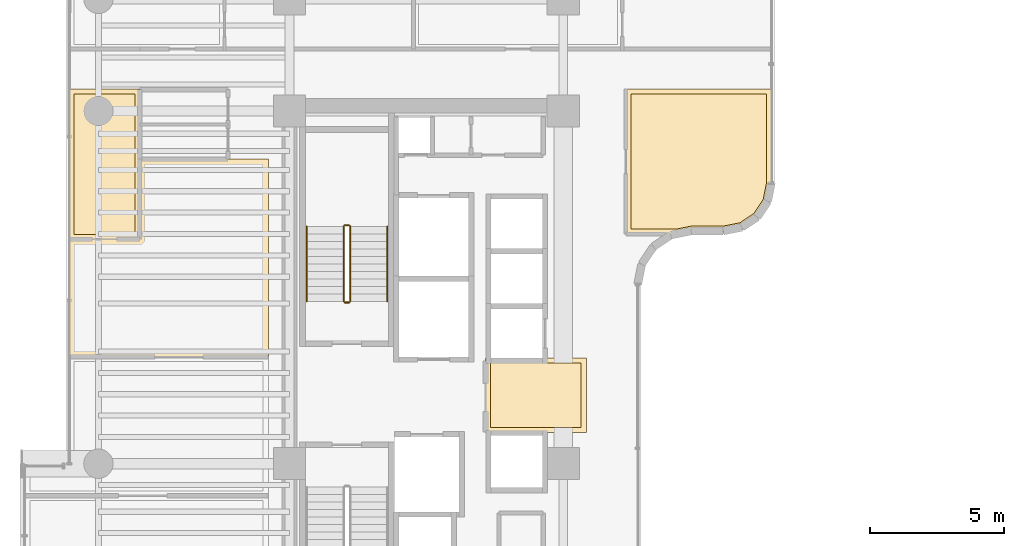
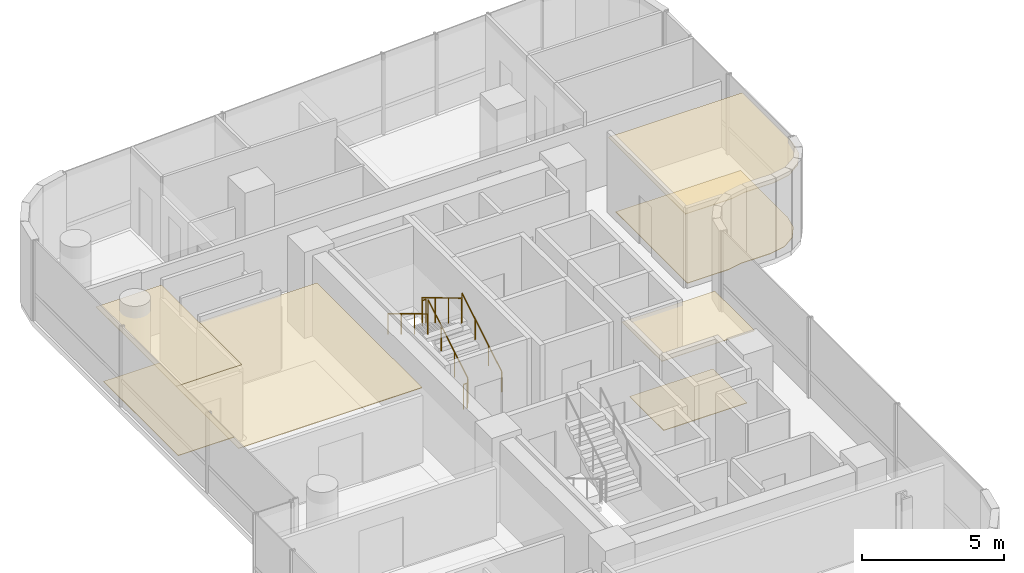
# One storey, part 32 of 34: 7 coverings, 6 railings.
"""IFC4 building model written with IfcOpenShell, lengths in metres."""

from ifc_helpers import new_model, si_unit, direction, frame, origin, origin_2d, place, context, subcontext, project, spatial, polyline, circle, outline, extrude, material, layer, layer_set, type_object, element, save


model = new_model("IFC4")

# Units and contexts
model_context = context("Model", 3, precision=1e-05, world=origin(), true_north=direction((0.0, 1.0)))
body_context = subcontext(model_context, "Body", "Model", "MODEL_VIEW")
ifc_project = project(units=[si_unit("LENGTHUNIT", "METRE"), si_unit("AREAUNIT", "SQUARE_METRE"), si_unit("VOLUMEUNIT", "CUBIC_METRE"), si_unit("PLANEANGLEUNIT", "RADIAN"), si_unit("MASSUNIT", "GRAM", prefix="KILO")], contexts=[model_context])

# Site, building, storey
site_placement = place(None, origin())
site = spatial("IfcSite", under=ifc_project, at=site_placement, CompositionType="ELEMENT")
building_placement = place(site_placement, origin())
building = spatial("IfcBuilding", under=site, at=building_placement, Name="Valdorenza Pilgrim Sanctuary Tower", CompositionType="ELEMENT")
storey_placement = place(building_placement, frame((0.0, 0.0, 164.89990234375)))
storey = spatial("IfcBuildingStorey", under=building, at=storey_placement, Name="L42", CompositionType="ELEMENT", Elevation=164.89990234375)

# Coverings
ifc_material_1 = material(Name="Micro-perforated acoustic mineral ceiling tile", Category="gypsum")
ifc_layer_1 = layer(ifc_material_1, 0.02490234375, Name="Micro-perforated acoustic mineral ceiling tile")
ifc_layer_set_1 = layer_set([ifc_layer_1], Name="Micro-perforated acoustic mineral ceiling tile")
covering_type_1 = type_object("IfcCoveringType", Name="COV-CLG-ACU", PredefinedType="CEILING", material=ifc_layer_set_1)
covering_1_placement = place(storey_placement, frame((0.0, 0.0, 3.16015625)))
element("IfcCovering", 1, at=covering_1_placement, inside=storey, type_object=covering_type_1, Name="L42 Core A Passenger Lift Lobby Acoustic Ceiling", PredefinedType="CEILING", context=body_context, shape_type="SweptSolid", body=[
    extrude(outline(polyline([(-15.31298828125, 1.244384765625), (-15.31298828125, 1.24462890625), (-15.313720703125, 1.24609375), (-15.314208984375, 1.24755859375), (-15.314697265625, 1.2490234375), (-15.31494140625, 1.25048828125), (-15.31494140625, 1.251953125), (-15.31494140625, 1.35009765625), (-15.31494140625, 1.3515625), (-15.314697265625, 1.352783203125), (-15.314453125, 1.3544921875), (-15.31396484375, 1.355712890625), (-15.313232421875, 1.357177734375), (-15.3125, 1.3583984375), (-15.3115234375, 1.359619140625), (-15.310546875, 1.360595703125), (-15.3095703125, 1.361572265625), (-15.308349609375, 1.362548828125), (-15.30712890625, 1.36328125), (-15.3056640625, 1.364013671875), (-15.304443359375, 1.364501953125), (-15.302978515625, 1.36474609375), (-15.301513671875, 1.364990234375), (-15.300048828125, 1.364990234375), (-15.10205078125, 1.364990234375), (-15.1005859375, 1.364990234375), (-15.09912109375, 1.36474609375), (-15.097412109375, 1.3642578125), (-15.09619140625, 1.36376953125), (-15.0947265625, 1.363037109375), (-15.094482421875, 1.363037109375), (-13.185546875, 1.363037109375), (-13.185302734375, 1.363037109375), (-13.183837890625, 1.36376953125), (-13.1826171875, 1.3642578125), (-13.180908203125, 1.36474609375), (-13.179443359375, 1.364990234375), (-13.177978515625, 1.364990234375), (-11.550048828125, 1.364990234375), (-11.548583984375, 1.364990234375), (-11.547119140625, 1.36474609375), (-11.545654296875, 1.364501953125), (-11.544189453125, 1.364013671875), (-11.54296875, 1.36328125), (-11.541748046875, 1.362548828125), (-11.54052734375, 1.361572265625), (-11.539306640625, 1.360595703125), (-11.538330078125, 1.359619140625), (-11.53759765625, 1.3583984375), (-11.536865234375, 1.357177734375), (-11.5361328125, 1.355712890625), (-11.53564453125, 1.3544921875), (-11.535400390625, 1.352783203125), (-11.53515625, 1.3515625), (-11.534912109375, 1.35009765625), (-11.534912109375, -1.419921875), (-11.53515625, -1.42138671875), (-11.535400390625, -1.4228515625), (-11.53564453125, -1.42431640625), (-11.5361328125, -1.42578125), (-11.536865234375, -1.427001953125), (-11.53759765625, -1.42822265625), (-11.538330078125, -1.429443359375), (-11.539306640625, -1.4306640625), (-11.54052734375, -1.431640625), (-11.541748046875, -1.4326171875), (-11.54296875, -1.43310546875), (-11.544189453125, -1.433837890625), (-11.545654296875, -1.434326171875), (-11.547119140625, -1.434814453125), (-11.548583984375, -1.434814453125), (-11.550048828125, -1.43505859375), (-15.298095703125, -1.43505859375), (-15.299560546875, -1.434814453125), (-15.30078125, -1.434814453125), (-15.302490234375, -1.434326171875), (-15.3037109375, -1.433837890625), (-15.30517578125, -1.43310546875), (-15.306396484375, -1.4326171875), (-15.3076171875, -1.431640625), (-15.30859375, -1.4306640625), (-15.3095703125, -1.429443359375), (-15.310546875, -1.42822265625), (-15.311279296875, -1.427001953125), (-15.31201171875, -1.42578125), (-15.3125, -1.42431640625), (-15.312744140625, -1.4228515625), (-15.31298828125, -1.42138671875), (-15.31298828125, -1.419921875), (-15.31298828125, 1.244384765625)])), origin(), (0.0, 0.0, 1.0), 0.02490234375),
])
covering_2_placement = place(storey_placement, frame((0.0, 0.0, 3.16015625)))
element("IfcCovering", 2, at=covering_2_placement, inside=storey, type_object=covering_type_1, Name="L42 Pilgrim Scholar Office L42-1 Acoustic Ceiling", PredefinedType="CEILING", context=body_context, shape_type="SweptSolid", body=[
    extrude(outline(polyline([(-28.237060546875, 8.805419921875), (-28.23681640625, 8.805419921875), (-28.236083984375, 8.803955078125), (-28.235595703125, 8.802490234375), (-28.2353515625, 8.801025390625), (-28.235107421875, 8.799560546875), (-28.235107421875, 8.798095703125), (-28.235107421875, 5.800048828125), (-28.235107421875, 5.798583984375), (-28.2353515625, 5.797119140625), (-28.235595703125, 5.795654296875), (-28.236083984375, 5.794189453125), (-28.23681640625, 5.79296875), (-28.237548828125, 5.791748046875), (-28.23828125, 5.79052734375), (-28.239501953125, 5.789306640625), (-28.240478515625, 5.788330078125), (-28.24169921875, 5.78759765625), (-28.242919921875, 5.786865234375), (-28.244384765625, 5.7861328125), (-28.24560546875, 5.78564453125), (-28.2470703125, 5.785400390625), (-28.24853515625, 5.78515625), (-28.25, 5.784912109375), (-30.889892578125, 5.784912109375), (-30.8916015625, 5.78515625), (-30.892822265625, 5.785400390625), (-30.894287109375, 5.78564453125), (-30.895751953125, 5.7861328125), (-30.897216796875, 5.786865234375), (-30.898193359375, 5.78759765625), (-30.8994140625, 5.788330078125), (-30.900634765625, 5.789306640625), (-30.901611328125, 5.79052734375), (-30.902587890625, 5.791748046875), (-30.9033203125, 5.79296875), (-30.90380859375, 5.794189453125), (-30.904296875, 5.795654296875), (-30.90478515625, 5.797119140625), (-30.90478515625, 5.798583984375), (-30.905029296875, 5.800048828125), (-30.905029296875, 11.419921875), (-30.90478515625, 11.42138671875), (-30.90478515625, 11.4228515625), (-30.904296875, 11.42431640625), (-30.90380859375, 11.42578125), (-30.9033203125, 11.427001953125), (-30.902587890625, 11.42822265625), (-30.901611328125, 11.429443359375), (-30.900634765625, 11.4306640625), (-30.8994140625, 11.431640625), (-30.898193359375, 11.4326171875), (-30.897216796875, 11.43310546875), (-30.895751953125, 11.433837890625), (-30.894287109375, 11.434326171875), (-30.892822265625, 11.434814453125), (-30.8916015625, 11.434814453125), (-30.889892578125, 11.43505859375), (-28.25, 11.43505859375), (-28.24853515625, 11.434814453125), (-28.2470703125, 11.434814453125), (-28.24560546875, 11.434326171875), (-28.244384765625, 11.433837890625), (-28.242919921875, 11.43310546875), (-28.24169921875, 11.4326171875), (-28.240478515625, 11.431640625), (-28.239501953125, 11.4306640625), (-28.23828125, 11.429443359375), (-28.237548828125, 11.42822265625), (-28.23681640625, 11.427001953125), (-28.236083984375, 11.42578125), (-28.235595703125, 11.42431640625), (-28.2353515625, 11.4228515625), (-28.235107421875, 11.42138671875), (-28.235107421875, 11.419921875), (-28.235107421875, 11.402099609375), (-28.235107421875, 11.400390625), (-28.2353515625, 11.39892578125), (-28.235595703125, 11.3974609375), (-28.236083984375, 11.39599609375), (-28.23681640625, 11.394775390625), (-28.237060546875, 11.39453125), (-28.237060546875, 10.103759765625), (-28.23681640625, 10.10302734375), (-28.23681640625, 10.1015625), (-28.23681640625, 10.10009765625), (-28.23681640625, 10.098388671875), (-28.237060546875, 10.09814453125), (-28.237060546875, 8.805419921875)])), origin(), (0.0, 0.0, 1.0), 0.02490234375),
])
covering_3_placement = place(storey_placement, frame((0.0, 0.0, 3.16015625)))
element("IfcCovering", 3, at=covering_3_placement, inside=storey, type_object=covering_type_1, Name="L42 North Contemplation Salon L42 Acoustic Ceiling", PredefinedType="CEILING", context=body_context, shape_type="SweptSolid", body=[
    extrude(outline(polyline([(-28.262939453125, 5.81298828125), (-28.262939453125, 8.798095703125), (-28.262939453125, 8.799560546875), (-28.2626953125, 8.80078125), (-28.262451171875, 8.802490234375), (-28.261962890625, 8.8037109375), (-28.26123046875, 8.80517578125), (-28.260498046875, 8.806396484375), (-28.259521484375, 8.8076171875), (-28.258544921875, 8.80859375), (-28.257568359375, 8.8095703125), (-28.25634765625, 8.810546875), (-28.255126953125, 8.811279296875), (-28.253662109375, 8.81201171875), (-28.25244140625, 8.8125), (-28.2509765625, 8.812744140625), (-28.24951171875, 8.81298828125), (-28.248046875, 8.81298828125), (-24.955322265625, 8.81298828125), (-24.954833984375, 8.813232421875), (-24.95361328125, 8.81396484375), (-24.9521484375, 8.814453125), (-24.95068359375, 8.814697265625), (-24.949462890625, 8.81494140625), (-24.947998046875, 8.81494140625), (-23.449951171875, 8.81494140625), (-23.448486328125, 8.81494140625), (-23.447021484375, 8.814697265625), (-23.445556640625, 8.814453125), (-23.4443359375, 8.81396484375), (-23.44287109375, 8.813232421875), (-23.441650390625, 8.8125), (-23.4404296875, 8.8115234375), (-23.439453125, 8.810546875), (-23.4384765625, 8.8095703125), (-23.4375, 8.808349609375), (-23.436767578125, 8.80712890625), (-23.43603515625, 8.8056640625), (-23.435546875, 8.804443359375), (-23.435302734375, 8.802978515625), (-23.43505859375, 8.801513671875), (-23.43505859375, 8.800048828125), (-23.43505859375, 1.402099609375), (-23.43505859375, 1.400390625), (-23.435302734375, 1.399169921875), (-23.435546875, 1.397705078125), (-23.43603515625, 1.396240234375), (-23.436767578125, 1.39501953125), (-23.4375, 1.393798828125), (-23.4384765625, 1.392578125), (-23.439453125, 1.391357421875), (-23.4404296875, 1.390380859375), (-23.441650390625, 1.389404296875), (-23.44287109375, 1.388916015625), (-23.4443359375, 1.38818359375), (-23.445556640625, 1.3876953125), (-23.447021484375, 1.38720703125), (-23.448486328125, 1.38720703125), (-23.449951171875, 1.386962890625), (-30.889892578125, 1.386962890625), (-30.8916015625, 1.38720703125), (-30.892822265625, 1.38720703125), (-30.894287109375, 1.3876953125), (-30.895751953125, 1.38818359375), (-30.897216796875, 1.388916015625), (-30.898193359375, 1.389404296875), (-30.8994140625, 1.390380859375), (-30.900634765625, 1.391357421875), (-30.901611328125, 1.392578125), (-30.902587890625, 1.393798828125), (-30.9033203125, 1.39501953125), (-30.90380859375, 1.396240234375), (-30.904296875, 1.397705078125), (-30.90478515625, 1.399169921875), (-30.90478515625, 1.400390625), (-30.905029296875, 1.402099609375), (-30.905029296875, 5.798095703125), (-30.90478515625, 5.799560546875), (-30.90478515625, 5.80078125), (-30.904296875, 5.802490234375), (-30.90380859375, 5.8037109375), (-30.9033203125, 5.80517578125), (-30.902587890625, 5.806396484375), (-30.901611328125, 5.8076171875), (-30.900634765625, 5.80859375), (-30.8994140625, 5.8095703125), (-30.898193359375, 5.810546875), (-30.897216796875, 5.811279296875), (-30.895751953125, 5.81201171875), (-30.894287109375, 5.8125), (-30.892822265625, 5.812744140625), (-30.8916015625, 5.81298828125), (-30.889892578125, 5.81298828125), (-28.262939453125, 5.81298828125)])), origin(), (0.0, 0.0, 1.0), 0.02490234375),
])
covering_4_placement = place(storey_placement, frame((0.0, 0.0, 3.16015625)))
element("IfcCovering", 4, at=covering_4_placement, inside=storey, type_object=covering_type_1, Name="L42 Sacred Art Exhibition Gallery L42-E1 Acoustic Ceiling", PredefinedType="CEILING", context=body_context, shape_type="SweptSolid", body=[
    extrude(outline(polyline([(-10.06494140625, 11.419921875), (-10.06494140625, 11.42138671875), (-10.064697265625, 11.4228515625), (-10.064453125, 11.42431640625), (-10.06396484375, 11.42578125), (-10.063232421875, 11.427001953125), (-10.0625, 11.42822265625), (-10.0615234375, 11.429443359375), (-10.060546875, 11.4306640625), (-10.0595703125, 11.431640625), (-10.058349609375, 11.4326171875), (-10.05712890625, 11.43310546875), (-10.0556640625, 11.433837890625), (-10.054443359375, 11.434326171875), (-10.052978515625, 11.434814453125), (-10.051513671875, 11.434814453125), (-10.050048828125, 11.43505859375), (-4.610107421875, 11.43505859375), (-4.6083984375, 11.434814453125), (-4.607177734375, 11.434814453125), (-4.605712890625, 11.434326171875), (-4.604248046875, 11.433837890625), (-4.602783203125, 11.43310546875), (-4.601806640625, 11.4326171875), (-4.6005859375, 11.431640625), (-4.599365234375, 11.4306640625), (-4.598388671875, 11.429443359375), (-4.597412109375, 11.42822265625), (-4.5966796875, 11.427001953125), (-4.59619140625, 11.42578125), (-4.595703125, 11.42431640625), (-4.59521484375, 11.4228515625), (-4.59521484375, 11.42138671875), (-4.594970703125, 11.419921875), (-4.594970703125, 7.910888671875), (-4.59521484375, 7.909423828125), (-4.59521484375, 7.907958984375), (-4.7333984375, 7.212890625), (-4.73388671875, 7.21142578125), (-4.734375, 7.210205078125), (-4.735107421875, 7.208740234375), (-4.735595703125, 7.20751953125), (-5.123291015625, 6.62744140625), (-5.124267578125, 6.626220703125), (-5.125244140625, 6.625244140625), (-5.126220703125, 6.624267578125), (-5.12744140625, 6.623291015625), (-5.70751953125, 6.235595703125), (-5.708740234375, 6.235107421875), (-5.710205078125, 6.234375), (-5.71142578125, 6.23388671875), (-5.712890625, 6.2333984375), (-6.407958984375, 6.09521484375), (-6.409423828125, 6.09521484375), (-6.410888671875, 6.094970703125), (-7.599609375, 6.094970703125), (-7.609375, 6.094482421875), (-7.618896484375, 6.093017578125), (-8.160888671875, 5.9853515625), (-8.16259765625, 5.985107421875), (-8.1640625, 5.985107421875), (-10.050048828125, 5.985107421875), (-10.051513671875, 5.985107421875), (-10.052978515625, 5.9853515625), (-10.054443359375, 5.985595703125), (-10.0556640625, 5.986083984375), (-10.05712890625, 5.98681640625), (-10.058349609375, 5.987548828125), (-10.0595703125, 5.98828125), (-10.060546875, 5.989501953125), (-10.0615234375, 5.990478515625), (-10.0625, 5.99169921875), (-10.063232421875, 5.992919921875), (-10.06396484375, 5.994384765625), (-10.064453125, 5.99560546875), (-10.064697265625, 5.9970703125), (-10.06494140625, 5.99853515625), (-10.06494140625, 6.0), (-10.06494140625, 11.419921875)])), origin(), (0.0, 0.0, 1.0), 0.02490234375),
])
ifc_material_2 = material(Name="Honed travertine stone flooring", Category="masonry")
ifc_layer_2 = layer(ifc_material_2, 0.030029296875, Name="Honed travertine stone flooring")
ifc_layer_set_2 = layer_set([ifc_layer_2], Name="Honed travertine stone flooring")
covering_type_2 = type_object("IfcCoveringType", Name="COV-FLR-TRV", PredefinedType="FLOORING", material=ifc_layer_set_2)
covering_5_placement = place(storey_placement, origin())
element("IfcCovering", 5, at=covering_5_placement, inside=storey, type_object=covering_type_2, Name="L42 Core A Passenger Lift Lobby Flooring", PredefinedType="FLOORING", context=body_context, shape_type="SweptSolid", body=[
    extrude(outline(polyline([(-15.117919921875, 1.169189453125), (-15.10888671875, 1.168212890625), (-15.10888671875, 1.168212890625), (-15.10009765625, 1.16796875), (-13.179931640625, 1.16796875), (-13.1796875, 1.16796875), (-11.72998046875, 1.169921875), (-11.72998046875, -1.239990234375), (-15.117919921875, -1.239990234375), (-15.117919921875, 1.169189453125)])), origin(), (0.0, 0.0, 1.0), 0.025146484375),
])
covering_6_placement = place(storey_placement, origin())
element("IfcCovering", 6, at=covering_6_placement, inside=storey, type_object=covering_type_2, Name="L42 Pilgrim Scholar Office L42-1 Flooring", PredefinedType="FLOORING", context=body_context, shape_type="SweptSolid", body=[
    extrude(outline(polyline([(-28.431884765625, 11.239990234375), (-28.431884765625, 10.10205078125), (-28.431884765625, 10.10107421875), (-28.431884765625, 10.100341796875), (-28.431884765625, 10.10009765625), (-28.431884765625, 8.800048828125), (-28.43017578125, 5.97998046875), (-30.7099609375, 5.97998046875), (-30.7099609375, 11.239990234375), (-28.431884765625, 11.239990234375)])), origin(), (0.0, 0.0, 1.0), 0.025146484375),
])
covering_7_placement = place(storey_placement, origin())
element("IfcCovering", 7, at=covering_7_placement, inside=storey, type_object=covering_type_2, Name="L42 Sacred Art Exhibition Gallery L42-E1 Flooring", PredefinedType="FLOORING", context=body_context, shape_type="SweptSolid", body=[
    extrude(outline(polyline([(-9.8701171875, 11.239990234375), (-4.7900390625, 11.239990234375), (-4.7900390625, 7.9287109375), (-4.917724609375, 7.2861328125), (-5.265625, 6.765625), (-5.7861328125, 6.417724609375), (-6.4287109375, 6.2900390625), (-7.60009765625, 6.2900390625), (-7.60888671875, 6.289794921875), (-7.61962890625, 6.289306640625), (-7.63720703125, 6.28759765625), (-7.64794921875, 6.285888671875), (-7.656494140625, 6.284423828125), (-8.181640625, 6.179931640625), (-9.8701171875, 6.179931640625), (-9.8701171875, 11.239990234375)])), origin(), (0.0, 0.0, 1.0), 0.025146484375),
])

# Railings
ifc_material_3 = material(Name="Stainless steel Grade 316", Category="steel")
railing_type_1 = type_object("IfcRailingType", Name="RLG-GRD-1120", PredefinedType="GUARDRAIL", material=ifc_material_3)
railing_1_placement = place(storey_placement, frame((-20.3701171875, 3.47998046875, 0.168212890625)))
element("IfcRailing", 8, at=railing_1_placement, inside=storey, type_object=railing_type_1, Name="L42 ST-A1 stair guard 1", PredefinedType="GUARDRAIL", context=body_context, shape_type="SweptSolid", body=[
    extrude(circle(Radius=0.02392578125, at=origin_2d()), frame((0.0, 0.0, 1.076171875), z_axis=(0.0, 0.857242210791, 0.514913383045), x_axis=(-1.0, 0.0, 0.0)), (0.0, 0.0, 1.0), 3.266357421875),
    extrude(circle(Radius=0.02099609375, at=origin_2d()), origin(), (0.0, 0.0, 1.0), 1.052001953125),
    extrude(circle(Radius=0.02099609375, at=origin_2d()), frame((0.0, 0.933349609375, 0.560546875)), (0.0, 0.0, 1.0), 1.052001953125),
    extrude(circle(Radius=0.02099609375, at=origin_2d()), frame((0.0, 1.86669921875, 1.121337890625)), (0.0, 0.0, 1.0), 1.052001953125),
    extrude(circle(Radius=0.02099609375, at=origin_2d()), frame((0.0, 2.800048828125, 1.681884765625)), (0.0, 0.0, 1.0), 1.052001953125),
])
railing_2_placement = place(storey_placement, frame((-20.419921875, 6.330078125, 1.85009765625)))
element("IfcRailing", 9, at=railing_2_placement, inside=storey, type_object=railing_type_1, Name="L42 ST-A1 stair guard 2", PredefinedType="GUARDRAIL", context=body_context, shape_type="SweptSolid", body=[
    extrude(circle(Radius=0.02392578125, at=origin_2d()), frame((0.0, 0.0, 1.076171875), z_axis=(-1.0, 0.0, 0.0), x_axis=(0.0, -1.0, 0.0)), (0.0, 0.0, 1.0), 0.150146484375),
    extrude(circle(Radius=0.02099609375, at=origin_2d()), origin(), (0.0, 0.0, 1.0), 1.052001953125),
    extrude(circle(Radius=0.02099609375, at=origin_2d()), frame((-0.150146484375, 0.0, 0.0)), (0.0, 0.0, 1.0), 1.052001953125),
])
railing_3_placement = place(storey_placement, frame((-20.6201171875, 6.280029296875, 2.018310546875)))
element("IfcRailing", 10, at=railing_3_placement, inside=storey, type_object=railing_type_1, Name="L42 ST-A1 stair guard 3", PredefinedType="GUARDRAIL", context=body_context, shape_type="SweptSolid", body=[
    extrude(circle(Radius=0.02392578125, at=origin_2d()), frame((0.0, 0.0, 1.076171875), z_axis=(0.0, -0.857242210791, 0.514913383045), x_axis=(1.0, 0.0, 0.0)), (0.0, 0.0, 1.0), 3.266357421875),
    extrude(circle(Radius=0.02099609375, at=origin_2d()), origin(), (0.0, 0.0, 1.0), 1.052001953125),
    extrude(circle(Radius=0.02099609375, at=origin_2d()), frame((0.0, -0.933349609375, 0.560546875)), (0.0, 0.0, 1.0), 1.052001953125),
    extrude(circle(Radius=0.02099609375, at=origin_2d()), frame((0.0, -1.86669921875, 1.121337890625)), (0.0, 0.0, 1.0), 1.052001953125),
    extrude(circle(Radius=0.02099609375, at=origin_2d()), frame((0.0, -2.800048828125, 1.681884765625)), (0.0, 0.0, 1.0), 1.052001953125),
])
railing_4_placement = place(storey_placement, frame((-20.419921875, 3.429931640625, 0.0)))
element("IfcRailing", 11, at=railing_4_placement, inside=storey, type_object=railing_type_1, Name="L42 ST-A1 stair guard 4", PredefinedType="GUARDRAIL", context=body_context, shape_type="SweptSolid", body=[
    extrude(circle(Radius=0.02392578125, at=origin_2d()), frame((0.0, 0.0, 1.076171875), z_axis=(-1.0, 0.0, 0.0), x_axis=(0.0, -1.0, 0.0)), (0.0, 0.0, 1.0), 0.150146484375),
    extrude(circle(Radius=0.02099609375, at=origin_2d()), origin(), (0.0, 0.0, 1.0), 1.052001953125),
    extrude(circle(Radius=0.02099609375, at=origin_2d()), frame((-0.150146484375, 0.0, 0.0)), (0.0, 0.0, 1.0), 1.052001953125),
])
ifc_material_4 = material(Name="Brushed stainless steel Grade 316", Category="steel")
railing_type_2 = type_object("IfcRailingType", Name="RLG-HND-920", PredefinedType="HANDRAIL", material=ifc_material_4)
railing_5_placement = place(storey_placement, frame((-18.989990234375, 3.47998046875, 0.168212890625)))
element("IfcRailing", 12, at=railing_5_placement, inside=storey, type_object=railing_type_2, Name="L42 ST-A1 stair handrail 1", PredefinedType="HANDRAIL", context=body_context, shape_type="SweptSolid", body=[
    extrude(circle(Radius=0.02392578125, at=origin_2d()), frame((0.0, 0.0, 0.8759765625), z_axis=(0.0, 0.857242210791, 0.514913383045), x_axis=(-1.0, 0.0, 0.0)), (0.0, 0.0, 1.0), 3.266357421875),
    extrude(circle(Radius=0.02099609375, at=origin_2d()), origin(), (0.0, 0.0, 1.0), 0.851806640625),
    extrude(circle(Radius=0.02099609375, at=origin_2d()), frame((0.0, 0.933349609375, 0.560546875)), (0.0, 0.0, 1.0), 0.851806640625),
    extrude(circle(Radius=0.02099609375, at=origin_2d()), frame((0.0, 1.86669921875, 1.121337890625)), (0.0, 0.0, 1.0), 0.851806640625),
    extrude(circle(Radius=0.02099609375, at=origin_2d()), frame((0.0, 2.800048828125, 1.681884765625)), (0.0, 0.0, 1.0), 0.851806640625),
])
railing_6_placement = place(storey_placement, frame((-22.0, 6.280029296875, 2.018310546875)))
element("IfcRailing", 13, at=railing_6_placement, inside=storey, type_object=railing_type_2, Name="L42 ST-A1 stair handrail 2", PredefinedType="HANDRAIL", context=body_context, shape_type="SweptSolid", body=[
    extrude(circle(Radius=0.02392578125, at=origin_2d()), frame((0.0, 0.0, 0.8759765625), z_axis=(0.0, -0.857242210791, 0.514913383045), x_axis=(1.0, 0.0, 0.0)), (0.0, 0.0, 1.0), 3.266357421875),
    extrude(circle(Radius=0.02099609375, at=origin_2d()), origin(), (0.0, 0.0, 1.0), 0.851806640625),
    extrude(circle(Radius=0.02099609375, at=origin_2d()), frame((0.0, -0.933349609375, 0.560546875)), (0.0, 0.0, 1.0), 0.851806640625),
    extrude(circle(Radius=0.02099609375, at=origin_2d()), frame((0.0, -1.86669921875, 1.121337890625)), (0.0, 0.0, 1.0), 0.851806640625),
    extrude(circle(Radius=0.02099609375, at=origin_2d()), frame((0.0, -2.800048828125, 1.681884765625)), (0.0, 0.0, 1.0), 0.851806640625),
])

save(model, "model.ifc")
